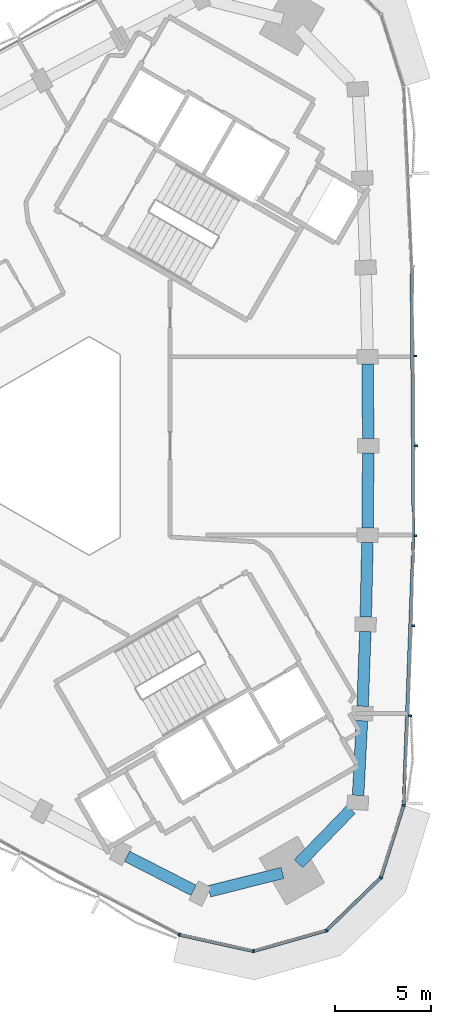
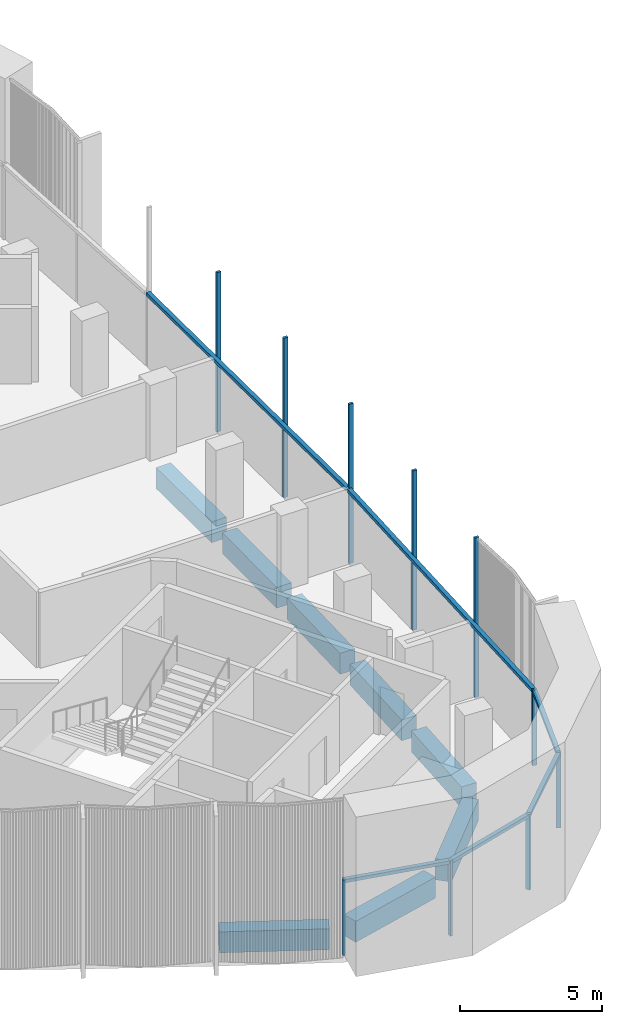
# One storey, part 4 of 16: 16 members, 8 beams, 2 elements without a shape of their own.
"""IFC4 building model written with IfcOpenShell, lengths in metres."""

from ifc_helpers import new_model, si_unit, direction, frame, origin, origin_2d, place, context, subcontext, project, spatial, rectangle, extrude, material, material_profile, profile_set, type_object, element, aggregate, save


model = new_model("IFC4")

# Units and contexts
model_context = context("Model", 3, precision=1e-05, world=origin(), true_north=direction((0.0, 1.0)))
body_context = subcontext(model_context, "Body", "Model", "MODEL_VIEW")
ifc_project = project(units=[si_unit("LENGTHUNIT", "METRE"), si_unit("AREAUNIT", "SQUARE_METRE"), si_unit("VOLUMEUNIT", "CUBIC_METRE"), si_unit("PLANEANGLEUNIT", "RADIAN"), si_unit("MASSUNIT", "GRAM", prefix="KILO")], contexts=[model_context])

# Site, building, storey
site_placement = place(None, origin())
site = spatial("IfcSite", under=ifc_project, at=site_placement, CompositionType="ELEMENT")
building_placement = place(site_placement, origin())
building = spatial("IfcBuilding", under=site, at=building_placement, Name="Tamra Quay Hotel Tower", CompositionType="ELEMENT")
storey_placement = place(building_placement, frame((0.0, 0.0, 243.0)))
storey = spatial("IfcBuildingStorey", under=building, at=storey_placement, Name="L61", CompositionType="ELEMENT", Elevation=243.0)

# Curtain wall, members
ifc_material_1 = material(Name="Aluminium 6063 anodised dark grey", Category="aluminium")
curtain_wall_type_1 = type_object("IfcCurtainWallType", Name="CW1 CURTAIN WALL", PredefinedType="NOTDEFINED", material=ifc_material_1)
curtain_wall_1_placement = place(storey_placement, origin())
curtain_wall_1 = element("IfcCurtainWall", 1, at=curtain_wall_1_placement, inside=storey, type_object=curtain_wall_type_1, Name="CW1 east face L61", PredefinedType="NOTDEFINED")
ifc_material_profile_1 = material_profile(ifc_material_1, rectangle(XDim=0.169921875, YDim=0.10009765625, at=origin_2d()), Name="MULLION 100X170")
ifc_profile_set_1 = profile_set([ifc_material_profile_1], Name="Aluminium 6063 anodised dark grey")
member_type_1 = type_object("IfcMemberType", Name="MULLION CW1 Z5", PredefinedType="MULLION", material=ifc_profile_set_1)
member_1_placement = place(storey_placement, frame((18.50732421875, -18.63037109375, 0.0), z_axis=(0.0, 0.0, 1.0), x_axis=(0.984105369622, -0.177585532857, 0.0)))
member_1 = element("IfcMember", 2, at=member_1_placement, type_object=member_type_1, Name="CW1 mullion L61.E.1", PredefinedType="MULLION", context=body_context, shape_type="SweptSolid", body=[
    extrude(rectangle(XDim=0.169921875, YDim=0.10009765625, at=origin_2d()), origin(), (0.0, 0.0, 1.0), 3.25),
])
member_2_placement = place(storey_placement, frame((18.831787109375, -13.980224609375, 0.0), z_axis=(0.0, 0.0, 1.0), x_axis=(0.999028242541, -0.044074602737, 0.0)))
member_2 = element("IfcMember", 3, at=member_2_placement, type_object=member_type_1, Name="CW1 mullion L61.E.2", PredefinedType="MULLION", context=body_context, shape_type="SweptSolid", body=[
    extrude(rectangle(XDim=0.169921875, YDim=0.10009765625, at=origin_2d()), origin(), (0.0, 0.0, 1.0), 6.85009765625),
])
member_3_placement = place(storey_placement, frame((19.0029296875, -9.3212890625, 0.0), z_axis=(0.0, 0.0, 1.0), x_axis=(0.999567604461, -0.029404151257, 0.0)))
member_3 = element("IfcMember", 4, at=member_3_placement, type_object=member_type_1, Name="CW1 mullion L61.E.3", PredefinedType="MULLION", context=body_context, shape_type="SweptSolid", body=[
    extrude(rectangle(XDim=0.169921875, YDim=0.10009765625, at=origin_2d()), origin(), (0.0, 0.0, 1.0), 6.85009765625),
])
member_4_placement = place(storey_placement, frame((19.10595703125, -4.661865234375, 0.0), z_axis=(0.0, 0.0, 1.0), x_axis=(0.99989176069, -0.014712814299, 0.0)))
member_4 = element("IfcMember", 5, at=member_4_placement, type_object=member_type_1, Name="CW1 mullion L61.E.4", PredefinedType="MULLION", context=body_context, shape_type="SweptSolid", body=[
    extrude(rectangle(XDim=0.169921875, YDim=0.10009765625, at=origin_2d()), origin(), (0.0, 0.0, 1.0), 6.85009765625),
])
member_5_placement = place(storey_placement, frame((19.14013671875, 0.0, 0.0), z_axis=(0.0, 0.0, 1.0), x_axis=(1.0, 0.0, 0.0)))
member_5 = element("IfcMember", 6, at=member_5_placement, type_object=member_type_1, Name="CW1 mullion L61.E.5", PredefinedType="MULLION", context=body_context, shape_type="SweptSolid", body=[
    extrude(rectangle(XDim=0.169921875, YDim=0.10009765625, at=origin_2d()), origin(), (0.0, 0.0, 1.0), 6.85009765625),
])
member_6_placement = place(storey_placement, frame((19.10595703125, 4.661865234375, 0.0), z_axis=(0.0, 0.0, 1.0), x_axis=(0.99989176069, 0.014712814299, 0.0)))
member_6 = element("IfcMember", 7, at=member_6_placement, type_object=member_type_1, Name="CW1 mullion L61.E.6", PredefinedType="MULLION", context=body_context, shape_type="SweptSolid", body=[
    extrude(rectangle(XDim=0.169921875, YDim=0.10009765625, at=origin_2d()), origin(), (0.0, 0.0, 1.0), 6.85009765625),
])

curtain_wall_type_2 = type_object("IfcCurtainWallType", Name="CW3 CURTAIN WALL", PredefinedType="NOTDEFINED", material=ifc_material_1)
curtain_wall_2_placement = place(storey_placement, origin())
curtain_wall_2 = element("IfcCurtainWall", 8, at=curtain_wall_2_placement, inside=storey, type_object=curtain_wall_type_2, Name="CW3 south-west face L61", PredefinedType="NOTDEFINED")
ifc_material_profile_2 = material_profile(ifc_material_1, rectangle(XDim=0.169921875, YDim=0.10009765625, at=origin_2d()), Name="MULLION 100X170")
ifc_profile_set_2 = profile_set([ifc_material_profile_2], Name="Aluminium 6063 anodised dark grey")
member_type_2 = type_object("IfcMemberType", Name="MULLION CW3 Z5", PredefinedType="MULLION", material=ifc_profile_set_2)
member_7_placement = place(storey_placement, frame((6.880615234375, -25.343017578125, 0.0), z_axis=(0.0, 0.0, 1.0), x_axis=(-0.338259102012, -0.941053016522, 0.0)))
member_7 = element("IfcMember", 9, at=member_7_placement, type_object=member_type_2, Name="CW3 mullion L61.SW.9", PredefinedType="MULLION", context=body_context, shape_type="SweptSolid", body=[
    extrude(rectangle(XDim=0.169921875, YDim=0.10009765625, at=origin_2d()), origin(), (0.0, 0.0, 1.0), 3.25),
])
member_8_placement = place(storey_placement, frame((10.719970703125, -26.193359375, 0.0), z_axis=(0.0, 0.0, 1.0), x_axis=(0.029222506575, -0.999572931361, 0.0)))
member_8 = element("IfcMember", 10, at=member_8_placement, type_object=member_type_2, Name="CW3 mullion L61.SW.10", PredefinedType="MULLION", context=body_context, shape_type="SweptSolid", body=[
    extrude(rectangle(XDim=0.169921875, YDim=0.10009765625, at=origin_2d()), origin(), (0.0, 0.0, 1.0), 3.25),
])
member_9_placement = place(storey_placement, frame((14.503173828125, -25.1201171875, 0.0), z_axis=(0.0, 0.0, 1.0), x_axis=(0.5, -0.866025403784, 0.0)))
member_9 = element("IfcMember", 11, at=member_9_placement, type_object=member_type_2, Name="CW3 mullion L61.SW.11", PredefinedType="MULLION", context=body_context, shape_type="SweptSolid", body=[
    extrude(rectangle(XDim=0.169921875, YDim=0.10009765625, at=origin_2d()), origin(), (0.0, 0.0, 1.0), 3.25),
])
member_10_placement = place(storey_placement, frame((17.323974609375, -22.38037109375, 0.0), z_axis=(0.0, 0.0, 1.0), x_axis=(0.851044298206, -0.525093898736, 0.0)))
member_10 = element("IfcMember", 12, at=member_10_placement, type_object=member_type_2, Name="CW3 mullion L61.SW.12", PredefinedType="MULLION", context=body_context, shape_type="SweptSolid", body=[
    extrude(rectangle(XDim=0.169921875, YDim=0.10009765625, at=origin_2d()), origin(), (0.0, 0.0, 1.0), 3.25),
])

# Beams
ifc_material_2 = material(Name="Concrete M60", Category="concrete")
ifc_material_profile_3 = material_profile(ifc_material_2, rectangle(XDim=0.60009765625, YDim=0.89990234375, at=origin_2d()), Name="SPANDREL BEAM RC 600x900")
ifc_profile_set_3 = profile_set([ifc_material_profile_3], Name="Concrete M60")
beam_type = type_object("IfcBeamType", Name="SPANDREL BEAM RC 600x900", PredefinedType="SPANDREL", material=ifc_profile_set_3)
beam_1_placement = place(storey_placement, frame((16.144775390625, -18.116455078125, -0.800048828125), z_axis=(0.051404854824, 0.998677896471, 0.0), x_axis=(-0.998677896471, 0.051404854824, 0.0)))
element("IfcBeam", 13, at=beam_1_placement, inside=storey, type_object=beam_type, Name="BM-SP5-000-L61", PredefinedType="SPANDREL", context=body_context, shape_type="SweptSolid", body=[
    extrude(rectangle(XDim=0.60009765625, YDim=0.89990234375, at=origin_2d()), origin(), (0.0, 0.0, 1.0), 3.87548828125),
])
beam_2_placement = place(storey_placement, frame((16.377197265625, -13.496826171875, -0.800048828125), z_axis=(0.036732019634, 0.999325151657, 0.0), x_axis=(-0.999325151657, 0.036732019634, 0.0)))
element("IfcBeam", 14, at=beam_2_placement, inside=storey, type_object=beam_type, Name="BM-SP5-001-L61", PredefinedType="SPANDREL", context=body_context, shape_type="SweptSolid", body=[
    extrude(rectangle(XDim=0.60009765625, YDim=0.89990234375, at=origin_2d()), origin(), (0.0, 0.0, 1.0), 3.875),
])
beam_3_placement = place(storey_placement, frame((16.54150390625, -8.874755859375, -0.800048828125), z_axis=(0.022047440235, 0.999756925647, 0.0), x_axis=(-0.999756925647, 0.022047440235, 0.0)))
element("IfcBeam", 15, at=beam_3_placement, inside=storey, type_object=beam_type, Name="BM-SP5-002-L61", PredefinedType="SPANDREL", context=body_context, shape_type="SweptSolid", body=[
    extrude(rectangle(XDim=0.60009765625, YDim=0.89990234375, at=origin_2d()), origin(), (0.0, 0.0, 1.0), 3.875732421875),
])
for number, where, z_axis, x_axis, name in (
    (16, (16.63818359375, -4.25, -0.800048828125), (0.007308272564, 0.999973294219, 0.0), (-0.999973294219, 0.007308272564, 0.0), "BM-SP5-003-L61"),
    (17, (16.66650390625, 0.375, -0.800048828125), (-0.007308272564, 0.999973294219, 0.0), (-0.999973294219, -0.007308272564, 0.0), "BM-SP5-004-L61"),
):
    element("IfcBeam", number, at=place(storey_placement, frame(where, z_axis=z_axis, x_axis=x_axis)), inside=storey, type_object=beam_type, Name=name, PredefinedType="SPANDREL", context=body_context, shape_type="SweptSolid", body=[
        extrude(rectangle(XDim=0.60009765625, YDim=0.89990234375, at=origin_2d()), origin(), (0.0, 0.0, 1.0), 3.875),
    ])
beam_4_placement = place(storey_placement, frame((4.16552734375, -21.277587890625, -0.800048828125), z_axis=(0.890602550436, -0.454782472349, 0.0), x_axis=(0.454782472349, 0.890602550436, 0.0)))
element("IfcBeam", 18, at=beam_4_placement, inside=storey, type_object=beam_type, Name="BM-SP5-027-L61", PredefinedType="SPANDREL", context=body_context, shape_type="SweptSolid", body=[
    extrude(rectangle(XDim=0.60009765625, YDim=0.89990234375, at=origin_2d()), origin(), (0.0, 0.0, 1.0), 3.87548828125),
])
beam_5_placement = place(storey_placement, frame((8.430908203125, -23.090087890625, -0.800048828125), z_axis=(0.969848171666, 0.243709917558, 0.0), x_axis=(-0.243709917558, 0.969848171666, 0.0)))
element("IfcBeam", 19, at=beam_5_placement, inside=storey, type_object=beam_type, Name="BM-SP5-028-L61", PredefinedType="SPANDREL", context=body_context, shape_type="SweptSolid", body=[
    extrude(rectangle(XDim=0.60009765625, YDim=0.89990234375, at=origin_2d()), origin(), (0.0, 0.0, 1.0), 3.912841796875),
])
beam_6_placement = place(storey_placement, frame((13.05810546875, -21.656005859375, -0.800048828125), z_axis=(0.69594408001, 0.718095980701, 0.0), x_axis=(-0.718095980701, 0.69594408001, 0.0)))
element("IfcBeam", 20, at=beam_6_placement, inside=storey, type_object=beam_type, Name="BM-SP5-029-L61", PredefinedType="SPANDREL", context=body_context, shape_type="SweptSolid", body=[
    extrude(rectangle(XDim=0.60009765625, YDim=0.89990234375, at=origin_2d()), origin(), (0.0, 0.0, 1.0), 3.91259765625),
])

# Member
ifc_material_profile_4 = material_profile(ifc_material_1, rectangle(XDim=0.169921875, YDim=0.139892578125, at=origin_2d()), Name="TRANSOM 170X140")
ifc_profile_set_4 = profile_set([ifc_material_profile_4], Name="Aluminium 6063 anodised dark grey")
member_type_3 = type_object("IfcMemberType", Name="TRANSOM CW1 Z5", PredefinedType="USERDEFINED", material=ifc_profile_set_4)
member_11_placement = place(storey_placement, frame((18.509765625, -18.580322265625, 3.179931640625), z_axis=(0.036746859744, 0.999324606071, 0.0), x_axis=(-0.999324606071, 0.036746859744, 0.0)))
member_11 = element("IfcMember", 21, at=member_11_placement, type_object=member_type_3, Name="CW1 transom L61.E.1", ObjectType="TRANSOM", PredefinedType="USERDEFINED", context=body_context, shape_type="SweptSolid", body=[
    extrude(rectangle(XDim=0.169921875, YDim=0.139892578125, at=origin_2d()), origin(), (0.0, 0.0, 1.0), 13.87890625),
])

member_12_placement = place(storey_placement, frame((19.021240234375, -4.61083984375, 3.179931640625), z_axis=(-0.007352354434, 0.999972971077, 0.0), x_axis=(-0.999972971077, -0.007352354434, 0.0)))
member_12 = element("IfcMember", 22, at=member_12_placement, type_object=member_type_3, Name="CW1 transom L61.E.4", ObjectType="TRANSOM", PredefinedType="USERDEFINED", context=body_context, shape_type="SweptSolid", body=[
    extrude(rectangle(XDim=0.169921875, YDim=0.139892578125, at=origin_2d()), origin(), (0.0, 0.0, 1.0), 13.880126953125),
])

aggregate(curtain_wall_1, [member_1, member_11, member_2, member_3, member_4, member_12, member_5, member_6])

ifc_material_profile_5 = material_profile(ifc_material_1, rectangle(XDim=0.169921875, YDim=0.139892578125, at=origin_2d()), Name="TRANSOM 170X140")
ifc_profile_set_5 = profile_set([ifc_material_profile_5], Name="Aluminium 6063 anodised dark grey")
member_type_4 = type_object("IfcMemberType", Name="TRANSOM CW3 Z5", PredefinedType="USERDEFINED", material=ifc_profile_set_5)
member_13_placement = place(storey_placement, frame((6.929443359375, -25.353759765625, 3.179931640625), z_axis=(0.976345686568, -0.216215402598, 0.0), x_axis=(0.216215402598, 0.976345686568, 0.0)))
member_13 = element("IfcMember", 23, at=member_13_placement, type_object=member_type_4, Name="CW3 transom L61.SW.9", ObjectType="TRANSOM", PredefinedType="USERDEFINED", context=body_context, shape_type="SweptSolid", body=[
    extrude(rectangle(XDim=0.169921875, YDim=0.139892578125, at=origin_2d()), origin(), (0.0, 0.0, 1.0), 3.832275390625),
])

member_14_placement = place(storey_placement, frame((10.76806640625, -26.1796875, 3.179931640625), z_axis=(0.962041469084, 0.272903301123, 0.0), x_axis=(-0.272903301123, 0.962041469084, 0.0)))
member_14 = element("IfcMember", 24, at=member_14_placement, type_object=member_type_4, Name="CW3 transom L61.SW.10", ObjectType="TRANSOM", PredefinedType="USERDEFINED", context=body_context, shape_type="SweptSolid", body=[
    extrude(rectangle(XDim=0.169921875, YDim=0.139892578125, at=origin_2d()), origin(), (0.0, 0.0, 1.0), 3.83251953125),
])

member_15_placement = place(storey_placement, frame((14.5390625, -25.085205078125, 3.179931640625), z_axis=(0.717352155518, 0.696710761345, 0.0), x_axis=(-0.696710761345, 0.717352155518, 0.0)))
member_15 = element("IfcMember", 25, at=member_15_placement, type_object=member_type_4, Name="CW3 transom L61.SW.11", ObjectType="TRANSOM", PredefinedType="USERDEFINED", context=body_context, shape_type="SweptSolid", body=[
    extrude(rectangle(XDim=0.169921875, YDim=0.139892578125, at=origin_2d()), origin(), (0.0, 0.0, 1.0), 3.832275390625),
])

member_16_placement = place(storey_placement, frame((17.339111328125, -22.332763671875, 3.179931640625), z_axis=(0.300878302807, 0.953662543513, 0.0), x_axis=(-0.953662543513, 0.300878302807, 0.0)))
member_16 = element("IfcMember", 26, at=member_16_placement, type_object=member_type_4, Name="CW3 transom L61.SW.12", ObjectType="TRANSOM", PredefinedType="USERDEFINED", context=body_context, shape_type="SweptSolid", body=[
    extrude(rectangle(XDim=0.169921875, YDim=0.139892578125, at=origin_2d()), origin(), (0.0, 0.0, 1.0), 3.832275390625),
])

aggregate(curtain_wall_2, [member_7, member_13, member_8, member_14, member_9, member_15, member_10, member_16])

save(model, "model.ifc")
